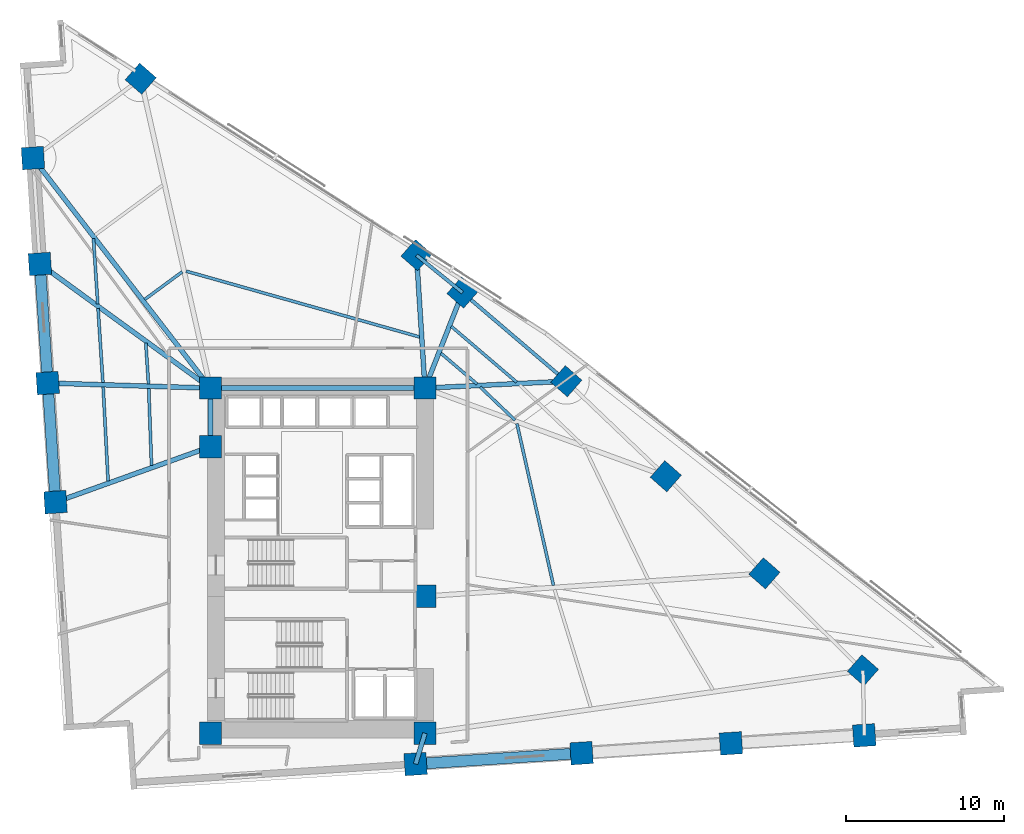
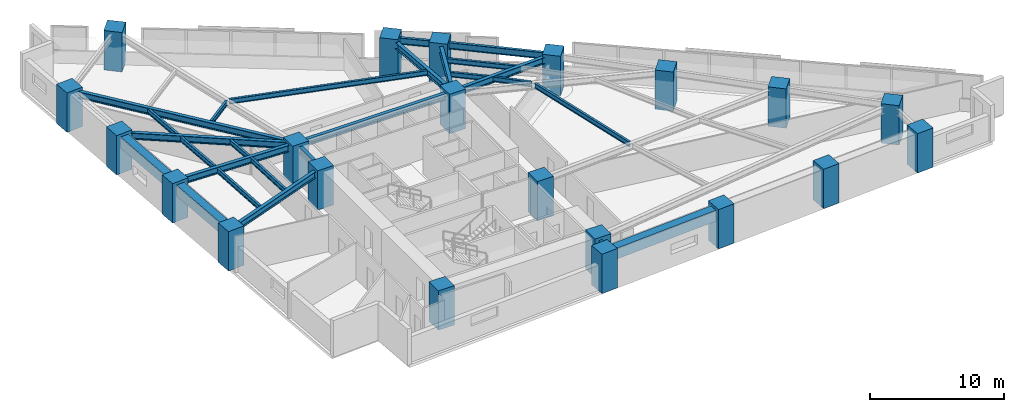
# One storey, part 1 of 16: 26 beams, 21 columns.
"""IFC4 building model written with IfcOpenShell, lengths in metres."""

from ifc_helpers import new_model, si_unit, direction, frame, origin, origin_2d, place, context, subcontext, project, spatial, rectangle, i_section, extrude, material, material_profile, profile_set, type_object, element, save


model = new_model("IFC4")

# Units and contexts
model_context = context("Model", 3, precision=1e-05, world=origin(), true_north=direction((0.0, 1.0)))
body_context = subcontext(model_context, "Body", "Model", "MODEL_VIEW")
ifc_project = project(units=[si_unit("LENGTHUNIT", "METRE"), si_unit("AREAUNIT", "SQUARE_METRE"), si_unit("VOLUMEUNIT", "CUBIC_METRE"), si_unit("PLANEANGLEUNIT", "RADIAN"), si_unit("MASSUNIT", "GRAM", prefix="KILO")], contexts=[model_context])

# Site, building, storey
site_placement = place(None, origin())
site = spatial("IfcSite", under=ifc_project, at=site_placement, CompositionType="ELEMENT")
building_placement = place(site_placement, origin())
building = spatial("IfcBuilding", under=site, at=building_placement, Name="Narakoshi Arena Tower", CompositionType="ELEMENT")
storey_placement = place(building_placement, frame((0.0, 0.0, 88.5)))
storey = spatial("IfcBuildingStorey", under=building, at=storey_placement, Name="L23", CompositionType="ELEMENT", Elevation=88.5)

# Columns
ifc_material_1 = material(Name="Concrete C60/75", Category="concrete")
ifc_material_profile_1 = material_profile(ifc_material_1, rectangle(XDim=1.39990234375, YDim=1.39990234375, at=origin_2d()), Name="RC1400x1400")
ifc_profile_set_1 = profile_set([ifc_material_profile_1], Name="Concrete C60/75")
column_type = type_object("IfcColumnType", Name="COL-RC1400", PredefinedType="COLUMN", material=ifc_profile_set_1)
for number, where, z_axis, x_axis, name in (
    (1, (72.0, 34.699951171875, 0.0), (0.0, 0.0, 1.0), (1.0, 0.0, 0.0), "L23 Core Structural Column CC1"),
    (2, (85.550048828125, 34.699951171875, 0.0), (0.0, 0.0, 1.0), (1.0, 0.0, 0.0), "L23 Core Structural Column CC2"),
    (3, (85.550048828125, 43.35009765625, 0.0), (0.0, 0.0, 1.0), (1.0, 0.0, 0.0), "L23 Core Structural Column CC3"),
    (4, (72.0, 52.800048828125, 0.0), (0.0, 0.0, 1.0), (1.0, 0.0, 0.0), "L23 Core Structural Column CC4"),
    (5, (72.0, 56.5, 0.0), (0.0, 0.0, 1.0), (1.0, 0.0, 0.0), "L23 Core Structural Column CC5"),
    (6, (85.550048828125, 56.5, 0.0), (0.0, 0.0, 1.0), (1.0, 0.0, 0.0), "L23 Core Structural Column CC6"),
    (7, (84.95703125, 32.7509765625, 0.0), (0.0, 0.0, 1.0), (0.997858923239, 0.06540312923, 0.0), "L23 Tower Perimeter Column TC01"),
    (8, (95.44189453125, 33.43798828125, 0.0), (0.0, 0.0, 1.0), (0.997858923239, 0.06540312923, 0.0), "L23 Tower Perimeter Column TC02"),
    (9, (104.8779296875, 34.056640625, 0.0), (0.0, 0.0, 1.0), (0.997858923239, 0.06540312923, 0.0), "L23 Tower Perimeter Column TC03"),
    (10, (113.299560546875, 34.5634765625, 0.0), (0.0, 0.0, 1.0), (0.997858923239, 0.06540312923, 0.0), "L23 Tower Perimeter Column TC04"),
    (11, (113.21630859375, 38.669189453125, 0.0), (0.0, 0.0, 1.0), (0.6593458151, 0.751839807479, 0.0), "L23 Tower Perimeter Column TC05"),
    (12, (106.989990234375, 44.800537109375, 0.0), (0.0, 0.0, 1.0), (0.6593458151, 0.751839807479, 0.0), "L23 Tower Perimeter Column TC06"),
    (13, (100.76318359375, 50.931640625, 0.0), (0.0, 0.0, 1.0), (0.6593458151, 0.751839807479, 0.0), "L23 Tower Perimeter Column TC07"),
    (14, (94.47900390625, 56.934814453125, 0.0), (0.0, 0.0, 1.0), (0.6593458151, 0.751839807479, 0.0), "L23 Tower Perimeter Column TC08"),
    (15, (87.922607421875, 62.534423828125, 0.0), (0.0, 0.0, 1.0), (0.6593458151, 0.751839807479, 0.0), "L23 Tower Perimeter Column TC09"),
    (16, (85.0146484375, 64.89794921875, 0.0), (0.0, 0.0, 1.0), (0.6593458151, 0.751839807479, 0.0), "L23 Tower Perimeter Column TC10"),
    (17, (67.58984375, 76.04345703125, 0.0), (0.0, 0.0, 1.0), (0.6593458151, 0.751839807479, 0.0), "L23 Tower Perimeter Column TC11"),
    (18, (60.785400390625, 71.031005859375, 0.0), (0.0, 0.0, 1.0), (-0.06540312923, 0.997858923239, 0.0), "L23 Tower Perimeter Column TC13"),
    (19, (61.223876953125, 64.343017578125, 0.0), (0.0, 0.0, 1.0), (-0.06540312923, 0.997858923239, 0.0), "L23 Tower Perimeter Column TC14"),
    (20, (61.716796875, 56.819091796875, 0.0), (0.0, 0.0, 1.0), (-0.06540312923, 0.997858923239, 0.0), "L23 Tower Perimeter Column TC15"),
    (21, (62.210205078125, 49.294921875, 0.0), (0.0, 0.0, 1.0), (-0.06540312923, 0.997858923239, 0.0), "L23 Tower Perimeter Column TC16"),
):
    element("IfcColumn", number, at=place(storey_placement, frame(where, z_axis=z_axis, x_axis=x_axis)), inside=storey, type_object=column_type, Name=name, PredefinedType="COLUMN", context=body_context, shape_type="SweptSolid", body=[
        extrude(rectangle(XDim=1.39990234375, YDim=1.39990234375, at=origin_2d()), origin(), (0.0, 0.0, 1.0), 3.60009765625),
    ])

# Beams
ifc_material_profile_2 = material_profile(ifc_material_1, rectangle(XDim=0.699951171875, YDim=1.0, at=origin_2d()), Name="RCB700x1000")
ifc_profile_set_2 = profile_set([ifc_material_profile_2], Name="Concrete C60/75")
beam_type_1 = type_object("IfcBeamType", Name="BM-CPL-1000", PredefinedType="BEAM", material=ifc_profile_set_2)
beam_1_placement = place(storey_placement, frame((84.95703125, 32.7509765625, 2.840087890625), z_axis=(0.997860180992, 0.065383936788, 0.0), x_axis=(-0.065383936788, 0.997860180992, 0.0)))
element("IfcBeam", 22, at=beam_1_placement, inside=storey, type_object=beam_type_1, Name="L23 Perimeter Edge Girder 01", PredefinedType="BEAM", context=body_context, shape_type="SweptSolid", body=[
    extrude(rectangle(XDim=0.699951171875, YDim=1.0, at=origin_2d()), origin(), (0.0, 0.0, 1.0), 10.50732421875),
])
beam_2_placement = place(storey_placement, frame((61.223876953125, 64.343017578125, 2.840087890625), z_axis=(0.065373518191, -0.997860863607, 0.0), x_axis=(0.997860863607, 0.065373518191, 0.0)))
element("IfcBeam", 23, at=beam_2_placement, inside=storey, type_object=beam_type_1, Name="L23 Perimeter Edge Girder 13", PredefinedType="BEAM", context=body_context, shape_type="SweptSolid", body=[
    extrude(rectangle(XDim=0.699951171875, YDim=1.0, at=origin_2d()), origin(), (0.0, 0.0, 1.0), 7.5400390625),
])
beam_3_placement = place(storey_placement, frame((61.716796875, 56.819091796875, 2.840087890625), z_axis=(0.06543588513, -0.997856775764, 0.0), x_axis=(0.997856775764, 0.06543588513, 0.0)))
element("IfcBeam", 24, at=beam_3_placement, inside=storey, type_object=beam_type_1, Name="L23 Perimeter Edge Girder 14", PredefinedType="BEAM", context=body_context, shape_type="SweptSolid", body=[
    extrude(rectangle(XDim=0.699951171875, YDim=1.0, at=origin_2d()), origin(), (0.0, 0.0, 1.0), 7.540283203125),
])
ifc_material_2 = material(Name="Structural steel S355J2", Category="steel")
ifc_material_profile_3 = material_profile(ifc_material_2, i_section(OverallWidth=0.219970703125, OverallDepth=0.60009765625, WebThickness=0.011962890625, FlangeThickness=0.01904296875, FilletRadius=0.02392578125, at=origin_2d()), Name="IPE600")
ifc_profile_set_3 = profile_set([ifc_material_profile_3], Name="Structural steel S355J2")
beam_type_2 = type_object("IfcBeamType", Name="BM-EDGE-600", PredefinedType="BEAM", material=ifc_profile_set_3)
beam_4_placement = place(storey_placement, frame((94.47900390625, 56.934814453125, 3.0400390625), z_axis=(-0.760410675305, 0.649442533934, 0.0), x_axis=(-0.649442533934, -0.760410675305, 0.0)))
element("IfcBeam", 25, at=beam_4_placement, inside=storey, type_object=beam_type_2, Name="L23 Perimeter Edge Girder 08", PredefinedType="BEAM", context=body_context, shape_type="SweptSolid", body=[
    extrude(i_section(OverallWidth=0.219970703125, OverallDepth=0.60009765625, WebThickness=0.011962890625, FlangeThickness=0.01904296875, FilletRadius=0.02392578125, at=origin_2d()), origin(), (0.0, 0.0, 1.0), 8.6220703125),
])
beam_5_placement = place(storey_placement, frame((87.922607421875, 62.534423828125, 3.0400390625), z_axis=(-0.776008368668, 0.630722610786, 0.0), x_axis=(-0.630722610786, -0.776008368668, 0.0)))
element("IfcBeam", 26, at=beam_5_placement, inside=storey, type_object=beam_type_2, Name="L23 Perimeter Edge Girder 09", PredefinedType="BEAM", context=body_context, shape_type="SweptSolid", body=[
    extrude(i_section(OverallWidth=0.219970703125, OverallDepth=0.60009765625, WebThickness=0.011962890625, FlangeThickness=0.01904296875, FilletRadius=0.02392578125, at=origin_2d()), origin(), (0.0, 0.0, 1.0), 3.747314453125),
])
ifc_material_profile_4 = material_profile(ifc_material_2, i_section(OverallWidth=0.300048828125, OverallDepth=0.60009765625, WebThickness=0.015380859375, FlangeThickness=0.030029296875, FilletRadius=0.027099609375, at=origin_2d()), Name="HE600B")
ifc_profile_set_4 = profile_set([ifc_material_profile_4], Name="Structural steel S355J2")
beam_type_3 = type_object("IfcBeamType", Name="BM-PRI-600", PredefinedType="BEAM", material=ifc_profile_set_4)
beam_6_placement = place(storey_placement, frame((85.550048828125, 34.699951171875, 3.0400390625), z_axis=(-0.291094852197, -0.956694197236, 0.0), x_axis=(0.956694197236, -0.291094852197, 0.0)))
element("IfcBeam", 27, at=beam_6_placement, inside=storey, type_object=beam_type_3, Name="L23 Radial Primary Floor Girder 01", PredefinedType="BEAM", context=body_context, shape_type="SweptSolid", body=[
    extrude(i_section(OverallWidth=0.300048828125, OverallDepth=0.60009765625, WebThickness=0.015380859375, FlangeThickness=0.030029296875, FilletRadius=0.027099609375, at=origin_2d()), origin(), (0.0, 0.0, 1.0), 2.037109375),
])
beam_7_placement = place(storey_placement, frame((85.550048828125, 56.5, 3.0400390625), z_axis=(0.998816399631, 0.048639488359, 0.0), x_axis=(-0.048639488359, 0.998816399631, 0.0)))
element("IfcBeam", 28, at=beam_7_placement, inside=storey, type_object=beam_type_3, Name="L23 Radial Primary Floor Girder 08", PredefinedType="BEAM", context=body_context, shape_type="SweptSolid", body=[
    extrude(i_section(OverallWidth=0.300048828125, OverallDepth=0.60009765625, WebThickness=0.015380859375, FlangeThickness=0.030029296875, FilletRadius=0.027099609375, at=origin_2d()), origin(), (0.0, 0.0, 1.0), 8.939453125),
])
beam_8_placement = place(storey_placement, frame((85.550048828125, 56.5, 3.0400390625), z_axis=(0.365905149474, 0.930652148543, 0.0), x_axis=(-0.930652148543, 0.365905149474, 0.0)))
element("IfcBeam", 29, at=beam_8_placement, inside=storey, type_object=beam_type_3, Name="L23 Radial Primary Floor Girder 09", PredefinedType="BEAM", context=body_context, shape_type="SweptSolid", body=[
    extrude(i_section(OverallWidth=0.300048828125, OverallDepth=0.60009765625, WebThickness=0.015380859375, FlangeThickness=0.030029296875, FilletRadius=0.027099609375, at=origin_2d()), origin(), (0.0, 0.0, 1.0), 6.484130859375),
])
beam_9_placement = place(storey_placement, frame((85.550048828125, 56.5, 3.0400390625), z_axis=(-0.063624535653, 0.997973906704, 0.0), x_axis=(-0.997973906704, -0.063624535653, 0.0)))
element("IfcBeam", 30, at=beam_9_placement, inside=storey, type_object=beam_type_3, Name="L23 Radial Primary Floor Girder 10", PredefinedType="BEAM", context=body_context, shape_type="SweptSolid", body=[
    extrude(i_section(OverallWidth=0.300048828125, OverallDepth=0.60009765625, WebThickness=0.015380859375, FlangeThickness=0.030029296875, FilletRadius=0.027099609375, at=origin_2d()), origin(), (0.0, 0.0, 1.0), 8.4150390625),
])
beam_10_placement = place(storey_placement, frame((72.0, 56.5, 3.0400390625), z_axis=(-0.610973069948, 0.791651380216, 0.0), x_axis=(-0.791651380216, -0.610973069948, 0.0)))
element("IfcBeam", 31, at=beam_10_placement, inside=storey, type_object=beam_type_3, Name="L23 Radial Primary Floor Girder 12", PredefinedType="BEAM", context=body_context, shape_type="SweptSolid", body=[
    extrude(i_section(OverallWidth=0.300048828125, OverallDepth=0.60009765625, WebThickness=0.015380859375, FlangeThickness=0.030029296875, FilletRadius=0.027099609375, at=origin_2d()), origin(), (0.0, 0.0, 1.0), 18.355224609375),
])
beam_11_placement = place(storey_placement, frame((72.0, 56.5, 3.0400390625), z_axis=(-0.808527706159, 0.588458110976, 0.0), x_axis=(-0.588458110976, -0.808527706159, 0.0)))
element("IfcBeam", 32, at=beam_11_placement, inside=storey, type_object=beam_type_3, Name="L23 Radial Primary Floor Girder 13", PredefinedType="BEAM", context=body_context, shape_type="SweptSolid", body=[
    extrude(i_section(OverallWidth=0.300048828125, OverallDepth=0.60009765625, WebThickness=0.015380859375, FlangeThickness=0.030029296875, FilletRadius=0.027099609375, at=origin_2d()), origin(), (0.0, 0.0, 1.0), 13.328125),
])
beam_12_placement = place(storey_placement, frame((72.0, 56.5, 3.0400390625), z_axis=(-0.99951890487, 0.031015460795, 0.0), x_axis=(-0.031015460795, -0.99951890487, 0.0)))
element("IfcBeam", 33, at=beam_12_placement, inside=storey, type_object=beam_type_3, Name="L23 Radial Primary Floor Girder 14", PredefinedType="BEAM", context=body_context, shape_type="SweptSolid", body=[
    extrude(i_section(OverallWidth=0.300048828125, OverallDepth=0.60009765625, WebThickness=0.015380859375, FlangeThickness=0.030029296875, FilletRadius=0.027099609375, at=origin_2d()), origin(), (0.0, 0.0, 1.0), 10.2880859375),
])
beam_13_placement = place(storey_placement, frame((72.0, 52.800048828125, 3.0400390625), z_axis=(-0.941474424124, -0.33708442373, 0.0), x_axis=(0.33708442373, -0.941474424124, 0.0)))
element("IfcBeam", 34, at=beam_13_placement, inside=storey, type_object=beam_type_3, Name="L23 Radial Primary Floor Girder 15", PredefinedType="BEAM", context=body_context, shape_type="SweptSolid", body=[
    extrude(i_section(OverallWidth=0.300048828125, OverallDepth=0.60009765625, WebThickness=0.015380859375, FlangeThickness=0.030029296875, FilletRadius=0.027099609375, at=origin_2d()), origin(), (0.0, 0.0, 1.0), 10.3984375),
])
beam_14_placement = place(storey_placement, frame((72.0, 52.800048828125, 3.0400390625), z_axis=(0.0, 1.0, 0.0), x_axis=(-1.0, 0.0, 0.0)))
element("IfcBeam", 35, at=beam_14_placement, inside=storey, type_object=beam_type_3, Name="L23 Core Perimeter Frame Beam CC4-CC5", PredefinedType="BEAM", context=body_context, shape_type="SweptSolid", body=[
    extrude(i_section(OverallWidth=0.300048828125, OverallDepth=0.60009765625, WebThickness=0.015380859375, FlangeThickness=0.030029296875, FilletRadius=0.027099609375, at=origin_2d()), origin(), (0.0, 0.0, 1.0), 3.699951171875),
])
beam_15_placement = place(storey_placement, frame((72.0, 56.5, 3.0400390625), z_axis=(1.0, 0.0, 0.0), x_axis=(0.0, 1.0, 0.0)))
element("IfcBeam", 36, at=beam_15_placement, inside=storey, type_object=beam_type_3, Name="L23 Core Perimeter Frame Beam CC5-CC6", PredefinedType="BEAM", context=body_context, shape_type="SweptSolid", body=[
    extrude(i_section(OverallWidth=0.300048828125, OverallDepth=0.60009765625, WebThickness=0.015380859375, FlangeThickness=0.030029296875, FilletRadius=0.027099609375, at=origin_2d()), origin(), (0.0, 0.0, 1.0), 13.550048828125),
])
ifc_material_profile_5 = material_profile(ifc_material_2, i_section(OverallWidth=0.18994140625, OverallDepth=0.449951171875, WebThickness=0.009521484375, FlangeThickness=0.0146484375, FilletRadius=0.02099609375, at=origin_2d()), Name="IPE450")
ifc_profile_set_5 = profile_set([ifc_material_profile_5], Name="Structural steel S355J2")
beam_type_4 = type_object("IfcBeamType", Name="BM-SEC-450", PredefinedType="JOIST", material=ifc_profile_set_5)
beam_16_placement = place(storey_placement, frame((93.66748046875, 44.032958984375, 3.114990234375), z_axis=(-0.220193637199, 0.975456181557, 0.0), x_axis=(-0.975456181557, -0.220193637199, 0.0)))
element("IfcBeam", 37, at=beam_16_placement, inside=storey, type_object=beam_type_4, Name="L23 Composite Secondary Floor Joist 03", PredefinedType="JOIST", context=body_context, shape_type="SweptSolid", body=[
    extrude(i_section(OverallWidth=0.18994140625, OverallDepth=0.449951171875, WebThickness=0.009521484375, FlangeThickness=0.0146484375, FilletRadius=0.02099609375, at=origin_2d()), origin(), (0.0, 0.0, 1.0), 10.4765625),
])
beam_17_placement = place(storey_placement, frame((91.2333984375, 54.477294921875, 3.114990234375), z_axis=(-0.723064858901, 0.690780145793, 0.0), x_axis=(-0.690780145793, -0.723064858901, 0.0)))
element("IfcBeam", 38, at=beam_17_placement, inside=storey, type_object=beam_type_4, Name="L23 Composite Secondary Floor Joist 05", PredefinedType="JOIST", context=body_context, shape_type="SweptSolid", body=[
    extrude(i_section(OverallWidth=0.18994140625, OverallDepth=0.449951171875, WebThickness=0.009521484375, FlangeThickness=0.0146484375, FilletRadius=0.02099609375, at=origin_2d()), origin(), (0.0, 0.0, 1.0), 3.032470703125),
])
beam_18_placement = place(storey_placement, frame((88.84033203125, 56.7529296875, 3.114990234375), z_axis=(-0.760430490225, 0.649419332586, 0.0), x_axis=(-0.649419332586, -0.760430490225, 0.0)))
element("IfcBeam", 39, at=beam_18_placement, inside=storey, type_object=beam_type_4, Name="L23 Composite Secondary Floor Joist 07", PredefinedType="JOIST", context=body_context, shape_type="SweptSolid", body=[
    extrude(i_section(OverallWidth=0.18994140625, OverallDepth=0.449951171875, WebThickness=0.009521484375, FlangeThickness=0.0146484375, FilletRadius=0.02099609375, at=origin_2d()), origin(), (0.0, 0.0, 1.0), 3.00634765625),
])
beam_19_placement = place(storey_placement, frame((91.340576171875, 56.87451171875, 3.114990234375), z_axis=(-0.760412600049, 0.649440280308, 0.0), x_axis=(-0.649440280308, -0.760412600049, 0.0)))
element("IfcBeam", 40, at=beam_19_placement, inside=storey, type_object=beam_type_4, Name="L23 Composite Secondary Floor Joist 08", PredefinedType="JOIST", context=body_context, shape_type="SweptSolid", body=[
    extrude(i_section(OverallWidth=0.18994140625, OverallDepth=0.449951171875, WebThickness=0.009521484375, FlangeThickness=0.0146484375, FilletRadius=0.02099609375, at=origin_2d()), origin(), (0.0, 0.0, 1.0), 5.4208984375),
])
beam_20_placement = place(storey_placement, frame((85.216796875, 59.727783203125, 3.114990234375), z_axis=(-0.962479100605, 0.271355819725, 0.0), x_axis=(-0.271355819725, -0.962479100605, 0.0)))
element("IfcBeam", 41, at=beam_20_placement, inside=storey, type_object=beam_type_4, Name="L23 Composite Secondary Floor Joist 09", PredefinedType="JOIST", context=body_context, shape_type="SweptSolid", body=[
    extrude(i_section(OverallWidth=0.18994140625, OverallDepth=0.449951171875, WebThickness=0.009521484375, FlangeThickness=0.0146484375, FilletRadius=0.02099609375, at=origin_2d()), origin(), (0.0, 0.0, 1.0), 15.338134765625),
])
beam_21_placement = place(storey_placement, frame((70.215576171875, 63.846435546875, 3.114990234375), z_axis=(-0.805139271894, -0.59308578878, 0.0), x_axis=(0.59308578878, -0.805139271894, 0.0)))
element("IfcBeam", 42, at=beam_21_placement, inside=storey, type_object=beam_type_4, Name="L23 Composite Secondary Floor Joist 10", PredefinedType="JOIST", context=body_context, shape_type="SweptSolid", body=[
    extrude(i_section(OverallWidth=0.18994140625, OverallDepth=0.449951171875, WebThickness=0.009521484375, FlangeThickness=0.0146484375, FilletRadius=0.02099609375, at=origin_2d()), origin(), (0.0, 0.0, 1.0), 2.941650390625),
])
beam_22_placement = place(storey_placement, frame((64.607177734375, 65.955810546875, 3.114990234375), z_axis=(0.065418851064, -0.997857892651, 0.0), x_axis=(0.997857892651, 0.065418851064, 0.0)))
element("IfcBeam", 43, at=beam_22_placement, inside=storey, type_object=beam_type_4, Name="L23 Composite Secondary Floor Joist 12", PredefinedType="JOIST", context=body_context, shape_type="SweptSolid", body=[
    extrude(i_section(OverallWidth=0.18994140625, OverallDepth=0.449951171875, WebThickness=0.009521484375, FlangeThickness=0.0146484375, FilletRadius=0.02099609375, at=origin_2d()), origin(), (0.0, 0.0, 1.0), 4.153564453125),
])
beam_23_placement = place(storey_placement, frame((67.913818359375, 59.345703125, 3.114990234375), z_axis=(0.06537642983, -0.997860672851, 0.0), x_axis=(0.997860672851, 0.06537642983, 0.0)))
element("IfcBeam", 44, at=beam_23_placement, inside=storey, type_object=beam_type_4, Name="L23 Composite Secondary Floor Joist 13", PredefinedType="JOIST", context=body_context, shape_type="SweptSolid", body=[
    extrude(i_section(OverallWidth=0.18994140625, OverallDepth=0.449951171875, WebThickness=0.009521484375, FlangeThickness=0.0146484375, FilletRadius=0.02099609375, at=origin_2d()), origin(), (0.0, 0.0, 1.0), 2.595458984375),
])
beam_24_placement = place(storey_placement, frame((64.896484375, 61.541748046875, 3.114990234375), z_axis=(0.065410381182, -0.997858447894, 0.0), x_axis=(0.997858447894, 0.065410381182, 0.0)))
element("IfcBeam", 45, at=beam_24_placement, inside=storey, type_object=beam_type_4, Name="L23 Composite Secondary Floor Joist 14", PredefinedType="JOIST", context=body_context, shape_type="SweptSolid", body=[
    extrude(i_section(OverallWidth=0.18994140625, OverallDepth=0.449951171875, WebThickness=0.009521484375, FlangeThickness=0.0146484375, FilletRadius=0.02099609375, at=origin_2d()), origin(), (0.0, 0.0, 1.0), 4.70654296875),
])
beam_25_placement = place(storey_placement, frame((68.097412109375, 56.486328125, 3.114990234375), z_axis=(0.036322381291, -0.999340124591, 0.0), x_axis=(0.999340124591, 0.036322381291, 0.0)))
element("IfcBeam", 46, at=beam_25_placement, inside=storey, type_object=beam_type_4, Name="L23 Composite Secondary Floor Joist 15", PredefinedType="JOIST", context=body_context, shape_type="SweptSolid", body=[
    extrude(i_section(OverallWidth=0.18994140625, OverallDepth=0.449951171875, WebThickness=0.009521484375, FlangeThickness=0.0146484375, FilletRadius=0.02099609375, at=origin_2d()), origin(), (0.0, 0.0, 1.0), 4.886474609375),
])
beam_26_placement = place(storey_placement, frame((65.22021484375, 56.57568359375, 3.114990234375), z_axis=(0.052208510838, -0.998636205731, 0.0), x_axis=(0.998636205731, 0.052208510838, 0.0)))
element("IfcBeam", 47, at=beam_26_placement, inside=storey, type_object=beam_type_4, Name="L23 Composite Secondary Floor Joist 16", PredefinedType="JOIST", context=body_context, shape_type="SweptSolid", body=[
    extrude(i_section(OverallWidth=0.18994140625, OverallDepth=0.449951171875, WebThickness=0.009521484375, FlangeThickness=0.0146484375, FilletRadius=0.02099609375, at=origin_2d()), origin(), (0.0, 0.0, 1.0), 5.962158203125),
])

save(model, "model.ifc")
